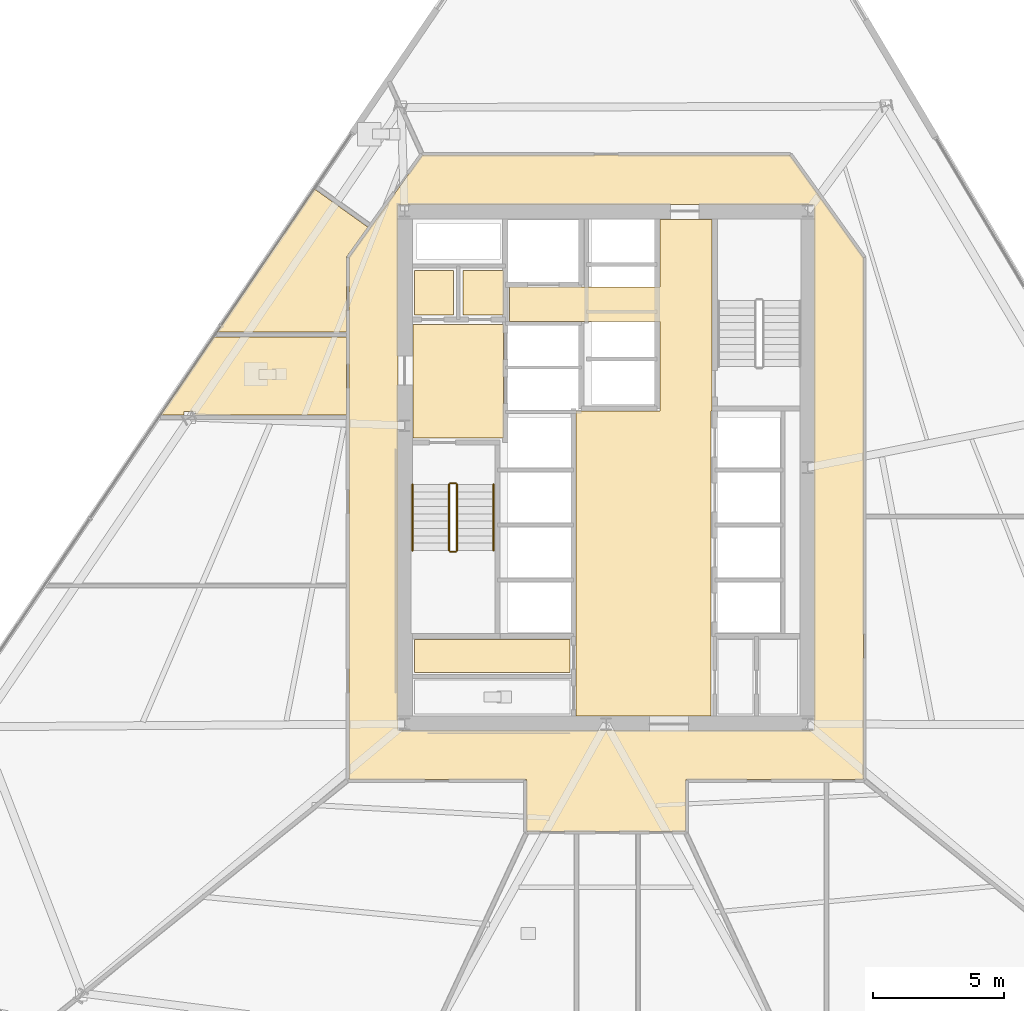
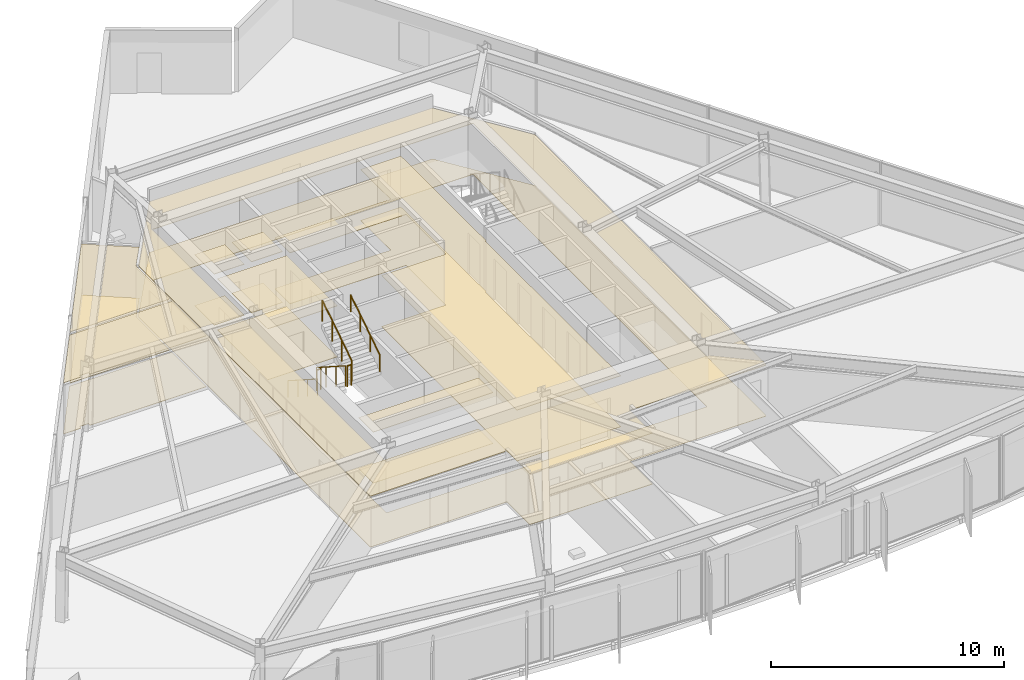
# One storey, part 14 of 18: 16 coverings, 6 railings.
"""IFC4 building model written with IfcOpenShell, lengths in metres."""

from ifc_helpers import new_model, si_unit, direction, frame, origin, origin_2d, place, context, subcontext, project, spatial, polyline, circle, outline, extrude, material, layer, layer_set, type_object, element, save


model = new_model("IFC4")

# Units and contexts
model_context = context("Model", 3, precision=1e-05, world=origin(), true_north=direction((0.0, 1.0)))
body_context = subcontext(model_context, "Body", "Model", "MODEL_VIEW")
ifc_project = project(units=[si_unit("LENGTHUNIT", "METRE"), si_unit("AREAUNIT", "SQUARE_METRE"), si_unit("VOLUMEUNIT", "CUBIC_METRE"), si_unit("PLANEANGLEUNIT", "RADIAN"), si_unit("MASSUNIT", "GRAM", prefix="KILO")], contexts=[model_context])

# Site, building, storey
site_placement = place(None, origin())
site = spatial("IfcSite", under=ifc_project, at=site_placement, CompositionType="ELEMENT")
building_placement = place(site_placement, origin())
building = spatial("IfcBuilding", under=site, at=building_placement, Name="Savorim Split Tower", CompositionType="ELEMENT")
storey_placement = place(building_placement, frame((0.0, 0.0, 40.800048828125)))
storey = spatial("IfcBuildingStorey", under=building, at=storey_placement, Name="L10", CompositionType="ELEMENT", Elevation=40.800048828125)

# Coverings
ifc_material_1 = material(Name="Mineral Fibre Acoustic Ceiling")
ifc_layer_1 = layer(ifc_material_1, 0.02490234375)
ifc_layer_set_1 = layer_set([ifc_layer_1], Name="COV-CEIL-25")
covering_type_1 = type_object("IfcCoveringType", Name="COV-CEIL-25", PredefinedType="CEILING", material=ifc_layer_set_1)
covering_1_placement = place(storey_placement, frame((0.0, 0.0, 2.669921875)))
element("IfcCovering", 1, at=covering_1_placement, inside=storey, type_object=covering_type_1, Name="L10 Firefighting Lift Lobby Acoustic Ceiling", PredefinedType="CEILING", context=body_context, shape_type="SweptSolid", body=[
    extrude(outline(polyline([(-7.3798828125, 5.8701171875), (-7.3798828125, 1.530029296875), (-3.929931640625, 1.530029296875), (-3.929931640625, 5.8701171875), (-7.3798828125, 5.8701171875)])), origin(), (0.0, 0.0, 1.0), 0.025146484375),
])
covering_2_placement = place(storey_placement, frame((0.0, 0.0, 2.669921875)))
element("IfcCovering", 2, at=covering_2_placement, inside=storey, type_object=covering_type_1, Name="L10 Electrical Riser Acoustic Ceiling", PredefinedType="CEILING", context=body_context, shape_type="SweptSolid", body=[
    extrude(outline(polyline([(-7.320068359375, 7.919921875), (-7.320068359375, 6.22998046875), (-5.830078125, 6.22998046875), (-5.830078125, 7.919921875), (-7.320068359375, 7.919921875)])), origin(), (0.0, 0.0, 1.0), 0.025146484375),
])
covering_3_placement = place(storey_placement, frame((0.0, 0.0, 2.669921875)))
element("IfcCovering", 3, at=covering_3_placement, inside=storey, type_object=covering_type_1, Name="L10 Telecom Riser Acoustic Ceiling", PredefinedType="CEILING", context=body_context, shape_type="SweptSolid", body=[
    extrude(outline(polyline([(-5.469970703125, 7.919921875), (-5.469970703125, 6.22998046875), (-3.929931640625, 6.22998046875), (-3.929931640625, 7.919921875), (-5.469970703125, 7.919921875)])), origin(), (0.0, 0.0, 1.0), 0.025146484375),
])
covering_4_placement = place(storey_placement, frame((0.0, 0.0, 2.669921875)))
element("IfcCovering", 4, at=covering_4_placement, inside=storey, type_object=covering_type_1, Name="L10 Lift Lobby Acoustic Ceiling", PredefinedType="CEILING", context=body_context, shape_type="SweptSolid", body=[
    extrude(outline(polyline([(2.050048828125, 2.550048828125), (-1.14990234375, 2.550048828125), (-1.14990234375, -9.10009765625), (4.0, -9.10009765625), (4.0, 2.550048828125), (4.050048828125, 2.550048828125), (4.050048828125, 5.97998046875), (4.050048828125, 7.300048828125), (4.050048828125, 9.8798828125), (2.050048828125, 9.8798828125), (2.050048828125, 7.300048828125), (-3.699951171875, 7.300048828125), (-3.699951171875, 5.97998046875), (2.050048828125, 5.97998046875), (2.050048828125, 2.550048828125)])), origin(), (0.0, 0.0, 1.0), 0.025146484375),
])
covering_5_placement = place(storey_placement, frame((0.0, 0.0, 2.669921875)))
element("IfcCovering", 5, at=covering_5_placement, inside=storey, type_object=covering_type_1, Name="L10 Cleaning Store Acoustic Ceiling", PredefinedType="CEILING", context=body_context, shape_type="SweptSolid", body=[
    extrude(outline(polyline([(-7.320068359375, -6.179931640625), (-7.320068359375, -7.43994140625), (-1.3798828125, -7.43994140625), (-1.3798828125, -6.179931640625), (-7.320068359375, -6.179931640625)])), origin(), (0.0, 0.0, 1.0), 0.025146484375),
])
covering_6_placement = place(storey_placement, frame((0.0, 0.0, 2.669921875)))
element("IfcCovering", 6, at=covering_6_placement, inside=storey, type_object=covering_type_1, Name="L10 Corridor Acoustic Ceiling", PredefinedType="CEILING", context=body_context, shape_type="SweptSolid", body=[
    extrude(outline(polyline([(7.009521484375, 12.3291015625), (7.004638671875, 12.329833984375), (7.0, 12.330078125), (-7.0, 12.330078125), (-7.004638671875, 12.329833984375), (-7.009521484375, 12.3291015625), (-7.013916015625, 12.327880859375), (-7.0185546875, 12.326416015625), (-7.022705078125, 12.324462890625), (-7.027099609375, 12.322021484375), (-7.03076171875, 12.3193359375), (-7.034423828125, 12.31640625), (-7.03759765625, 12.312744140625), (-7.04052734375, 12.30908203125), (-9.820556640625, 8.42919921875), (-9.823486328125, 8.4248046875), (-9.82568359375, 8.420166015625), (-9.82763671875, 8.415283203125), (-9.828857421875, 8.410400390625), (-9.82958984375, 8.4052734375), (-9.830078125, 8.39990234375), (-9.830078125, -11.47998046875), (-9.829833984375, -11.48486328125), (-9.8291015625, -11.48974609375), (-9.827880859375, -11.494384765625), (-9.826171875, -11.4990234375), (-9.82421875, -11.503662109375), (-9.821533203125, -11.5078125), (-9.818603515625, -11.51171875), (-9.8154296875, -11.515380859375), (-9.811767578125, -11.518798828125), (-9.807861328125, -11.521484375), (-9.8037109375, -11.524169921875), (-9.799072265625, -11.526123046875), (-9.79443359375, -11.52783203125), (-9.789794921875, -11.529052734375), (-9.784912109375, -11.52978515625), (-9.780029296875, -11.530029296875), (-3.050048828125, -11.530029296875), (-3.050048828125, -13.449951171875), (-3.0498046875, -13.454833984375), (-3.049072265625, -13.459716796875), (-3.0478515625, -13.464599609375), (-3.046142578125, -13.468994140625), (-3.044189453125, -13.4736328125), (-3.04150390625, -13.477783203125), (-3.038818359375, -13.481689453125), (-3.035400390625, -13.4853515625), (-3.03173828125, -13.48876953125), (-3.02783203125, -13.49169921875), (-3.023681640625, -13.494140625), (-3.01904296875, -13.49609375), (-3.014404296875, -13.497802734375), (-3.009765625, -13.4990234375), (-3.0048828125, -13.499755859375), (-3.0, -13.5), (3.0, -13.5), (3.0048828125, -13.499755859375), (3.009765625, -13.4990234375), (3.014404296875, -13.497802734375), (3.01904296875, -13.49609375), (3.023681640625, -13.494140625), (3.02783203125, -13.49169921875), (3.03173828125, -13.48876953125), (3.035400390625, -13.4853515625), (3.038818359375, -13.481689453125), (3.04150390625, -13.477783203125), (3.044189453125, -13.4736328125), (3.046142578125, -13.468994140625), (3.0478515625, -13.464599609375), (3.049072265625, -13.459716796875), (3.0498046875, -13.454833984375), (3.050048828125, -13.449951171875), (3.050048828125, -11.530029296875), (9.780029296875, -11.530029296875), (9.784912109375, -11.52978515625), (9.789794921875, -11.529052734375), (9.79443359375, -11.52783203125), (9.799072265625, -11.526123046875), (9.8037109375, -11.524169921875), (9.807861328125, -11.521484375), (9.811767578125, -11.518798828125), (9.8154296875, -11.515380859375), (9.818603515625, -11.51171875), (9.821533203125, -11.5078125), (9.82421875, -11.503662109375), (9.826171875, -11.4990234375), (9.827880859375, -11.494384765625), (9.8291015625, -11.48974609375), (9.829833984375, -11.48486328125), (9.830078125, -11.47998046875), (9.830078125, 8.39990234375), (9.82958984375, 8.4052734375), (9.828857421875, 8.410400390625), (9.82763671875, 8.415283203125), (9.82568359375, 8.420166015625), (9.823486328125, 8.4248046875), (9.820556640625, 8.42919921875), (7.04052734375, 12.30908203125), (7.03759765625, 12.312744140625), (7.034423828125, 12.31640625), (7.03076171875, 12.3193359375), (7.027099609375, 12.322021484375), (7.022705078125, 12.324462890625), (7.0185546875, 12.326416015625), (7.013916015625, 12.327880859375), (7.009521484375, 12.3291015625)]), holes=[polyline([(-7.949951171875, 10.449951171875), (-7.949951171875, -9.64990234375), (7.949951171875, -9.64990234375), (7.949951171875, 10.449951171875), (-7.949951171875, 10.449951171875)])]), origin(), (0.0, 0.0, 1.0), 0.025146484375),
])
covering_7_placement = place(storey_placement, frame((0.0, 0.0, 2.669921875)))
element("IfcCovering", 7, at=covering_7_placement, inside=storey, type_object=covering_type_1, Name="L10 Co-Living Bedroom Acoustic Ceiling", PredefinedType="CEILING", context=body_context, shape_type="SweptSolid", body=[
    extrude(outline(polyline([(-9.908203125, 8.456298828125), (-9.901611328125, 8.46923828125), (-9.893798828125, 8.4814453125), (-9.105224609375, 9.58203125), (-11.144775390625, 11.04345703125), (-14.8701171875, 5.5673828125), (-9.919921875, 5.5673828125), (-9.919921875, 8.39990234375), (-9.919189453125, 8.41455078125), (-9.9169921875, 8.4287109375), (-9.913330078125, 8.44287109375), (-9.908203125, 8.456298828125)])), origin(), (0.0, 0.0, 1.0), 0.025146484375),
])
covering_8_placement = place(storey_placement, frame((0.0, 0.0, 2.669921875)))
element("IfcCovering", 8, at=covering_8_placement, inside=storey, type_object=covering_type_1, Name="L10 Shared Bathroom Acoustic Ceiling", PredefinedType="CEILING", context=body_context, shape_type="SweptSolid", body=[
    extrude(outline(polyline([(-15.694580078125, 2.541259765625), (-15.694580078125, 2.4033203125), (-9.919921875, 2.4033203125), (-9.919921875, 5.37744140625), (-14.999267578125, 5.37744140625), (-17.022705078125, 2.4033203125), (-16.130615234375, 2.4033203125), (-16.130615234375, 2.541259765625), (-15.694580078125, 2.541259765625)])), origin(), (0.0, 0.0, 1.0), 0.025146484375),
])
ifc_material_2 = material(Name="Porcelain Stoneware Flooring", Category="masonry")
ifc_layer_2 = layer(ifc_material_2, 0.02001953125)
ifc_layer_set_2 = layer_set([ifc_layer_2], Name="COV-FLOR-20")
covering_type_2 = type_object("IfcCoveringType", Name="COV-FLOR-20", PredefinedType="FLOORING", material=ifc_layer_set_2)
covering_9_placement = place(storey_placement, origin())
element("IfcCovering", 9, at=covering_9_placement, inside=storey, type_object=covering_type_2, Name="L10 Firefighting Lift Lobby Porcelain Flooring", PredefinedType="FLOORING", context=body_context, shape_type="SweptSolid", body=[
    extrude(outline(polyline([(-7.3798828125, 5.8701171875), (-7.3798828125, 1.530029296875), (-3.929931640625, 1.530029296875), (-3.929931640625, 5.8701171875), (-7.3798828125, 5.8701171875)])), origin(), (0.0, 0.0, 1.0), 0.02001953125),
])
covering_10_placement = place(storey_placement, origin())
element("IfcCovering", 10, at=covering_10_placement, inside=storey, type_object=covering_type_2, Name="L10 Electrical Riser Porcelain Flooring", PredefinedType="FLOORING", context=body_context, shape_type="SweptSolid", body=[
    extrude(outline(polyline([(-7.320068359375, 7.919921875), (-7.320068359375, 6.22998046875), (-5.830078125, 6.22998046875), (-5.830078125, 7.919921875), (-7.320068359375, 7.919921875)])), origin(), (0.0, 0.0, 1.0), 0.02001953125),
])
covering_11_placement = place(storey_placement, origin())
element("IfcCovering", 11, at=covering_11_placement, inside=storey, type_object=covering_type_2, Name="L10 Telecom Riser Porcelain Flooring", PredefinedType="FLOORING", context=body_context, shape_type="SweptSolid", body=[
    extrude(outline(polyline([(-5.469970703125, 7.919921875), (-5.469970703125, 6.22998046875), (-3.929931640625, 6.22998046875), (-3.929931640625, 7.919921875), (-5.469970703125, 7.919921875)])), origin(), (0.0, 0.0, 1.0), 0.02001953125),
])
covering_12_placement = place(storey_placement, origin())
element("IfcCovering", 12, at=covering_12_placement, inside=storey, type_object=covering_type_2, Name="L10 Lift Lobby Porcelain Flooring", PredefinedType="FLOORING", context=body_context, shape_type="SweptSolid", body=[
    extrude(outline(polyline([(2.050048828125, 2.550048828125), (-1.14990234375, 2.550048828125), (-1.14990234375, -9.10009765625), (4.0, -9.10009765625), (4.0, 2.550048828125), (4.050048828125, 2.550048828125), (4.050048828125, 5.97998046875), (4.050048828125, 7.300048828125), (4.050048828125, 9.8798828125), (2.050048828125, 9.8798828125), (2.050048828125, 7.300048828125), (-3.699951171875, 7.300048828125), (-3.699951171875, 5.97998046875), (2.050048828125, 5.97998046875), (2.050048828125, 2.550048828125)])), origin(), (0.0, 0.0, 1.0), 0.02001953125),
])
covering_13_placement = place(storey_placement, origin())
element("IfcCovering", 13, at=covering_13_placement, inside=storey, type_object=covering_type_2, Name="L10 Cleaning Store Porcelain Flooring", PredefinedType="FLOORING", context=body_context, shape_type="SweptSolid", body=[
    extrude(outline(polyline([(-7.320068359375, -6.179931640625), (-7.320068359375, -7.43994140625), (-1.3798828125, -7.43994140625), (-1.3798828125, -6.179931640625), (-7.320068359375, -6.179931640625)])), origin(), (0.0, 0.0, 1.0), 0.02001953125),
])
covering_14_placement = place(storey_placement, origin())
element("IfcCovering", 14, at=covering_14_placement, inside=storey, type_object=covering_type_2, Name="L10 Corridor Porcelain Flooring", PredefinedType="FLOORING", context=body_context, shape_type="SweptSolid", body=[
    extrude(outline(polyline([(7.009521484375, 12.3291015625), (7.004638671875, 12.329833984375), (7.0, 12.330078125), (-7.0, 12.330078125), (-7.004638671875, 12.329833984375), (-7.009521484375, 12.3291015625), (-7.013916015625, 12.327880859375), (-7.0185546875, 12.326416015625), (-7.022705078125, 12.324462890625), (-7.027099609375, 12.322021484375), (-7.03076171875, 12.3193359375), (-7.034423828125, 12.31640625), (-7.03759765625, 12.312744140625), (-7.04052734375, 12.30908203125), (-9.820556640625, 8.42919921875), (-9.823486328125, 8.4248046875), (-9.82568359375, 8.420166015625), (-9.82763671875, 8.415283203125), (-9.828857421875, 8.410400390625), (-9.82958984375, 8.4052734375), (-9.830078125, 8.39990234375), (-9.830078125, -11.47998046875), (-9.829833984375, -11.48486328125), (-9.8291015625, -11.48974609375), (-9.827880859375, -11.494384765625), (-9.826171875, -11.4990234375), (-9.82421875, -11.503662109375), (-9.821533203125, -11.5078125), (-9.818603515625, -11.51171875), (-9.8154296875, -11.515380859375), (-9.811767578125, -11.518798828125), (-9.807861328125, -11.521484375), (-9.8037109375, -11.524169921875), (-9.799072265625, -11.526123046875), (-9.79443359375, -11.52783203125), (-9.789794921875, -11.529052734375), (-9.784912109375, -11.52978515625), (-9.780029296875, -11.530029296875), (-3.050048828125, -11.530029296875), (-3.050048828125, -13.449951171875), (-3.0498046875, -13.454833984375), (-3.049072265625, -13.459716796875), (-3.0478515625, -13.464599609375), (-3.046142578125, -13.468994140625), (-3.044189453125, -13.4736328125), (-3.04150390625, -13.477783203125), (-3.038818359375, -13.481689453125), (-3.035400390625, -13.4853515625), (-3.03173828125, -13.48876953125), (-3.02783203125, -13.49169921875), (-3.023681640625, -13.494140625), (-3.01904296875, -13.49609375), (-3.014404296875, -13.497802734375), (-3.009765625, -13.4990234375), (-3.0048828125, -13.499755859375), (-3.0, -13.5), (3.0, -13.5), (3.0048828125, -13.499755859375), (3.009765625, -13.4990234375), (3.014404296875, -13.497802734375), (3.01904296875, -13.49609375), (3.023681640625, -13.494140625), (3.02783203125, -13.49169921875), (3.03173828125, -13.48876953125), (3.035400390625, -13.4853515625), (3.038818359375, -13.481689453125), (3.04150390625, -13.477783203125), (3.044189453125, -13.4736328125), (3.046142578125, -13.468994140625), (3.0478515625, -13.464599609375), (3.049072265625, -13.459716796875), (3.0498046875, -13.454833984375), (3.050048828125, -13.449951171875), (3.050048828125, -11.530029296875), (9.780029296875, -11.530029296875), (9.784912109375, -11.52978515625), (9.789794921875, -11.529052734375), (9.79443359375, -11.52783203125), (9.799072265625, -11.526123046875), (9.8037109375, -11.524169921875), (9.807861328125, -11.521484375), (9.811767578125, -11.518798828125), (9.8154296875, -11.515380859375), (9.818603515625, -11.51171875), (9.821533203125, -11.5078125), (9.82421875, -11.503662109375), (9.826171875, -11.4990234375), (9.827880859375, -11.494384765625), (9.8291015625, -11.48974609375), (9.829833984375, -11.48486328125), (9.830078125, -11.47998046875), (9.830078125, 8.39990234375), (9.82958984375, 8.4052734375), (9.828857421875, 8.410400390625), (9.82763671875, 8.415283203125), (9.82568359375, 8.420166015625), (9.823486328125, 8.4248046875), (9.820556640625, 8.42919921875), (7.04052734375, 12.30908203125), (7.03759765625, 12.312744140625), (7.034423828125, 12.31640625), (7.03076171875, 12.3193359375), (7.027099609375, 12.322021484375), (7.022705078125, 12.324462890625), (7.0185546875, 12.326416015625), (7.013916015625, 12.327880859375), (7.009521484375, 12.3291015625)]), holes=[polyline([(-7.949951171875, 10.449951171875), (-7.949951171875, -9.64990234375), (7.949951171875, -9.64990234375), (7.949951171875, 10.449951171875), (-7.949951171875, 10.449951171875)])]), origin(), (0.0, 0.0, 1.0), 0.02001953125),
])
covering_15_placement = place(storey_placement, origin())
element("IfcCovering", 15, at=covering_15_placement, inside=storey, type_object=covering_type_2, Name="L10 Co-Living Bedroom Porcelain Flooring", PredefinedType="FLOORING", context=body_context, shape_type="SweptSolid", body=[
    extrude(outline(polyline([(-9.908203125, 8.456298828125), (-9.901611328125, 8.46923828125), (-9.893798828125, 8.4814453125), (-9.105224609375, 9.58203125), (-11.144775390625, 11.04345703125), (-14.8701171875, 5.5673828125), (-9.919921875, 5.5673828125), (-9.919921875, 8.39990234375), (-9.919189453125, 8.41455078125), (-9.9169921875, 8.4287109375), (-9.913330078125, 8.44287109375), (-9.908203125, 8.456298828125)])), origin(), (0.0, 0.0, 1.0), 0.02001953125),
])
covering_16_placement = place(storey_placement, origin())
element("IfcCovering", 16, at=covering_16_placement, inside=storey, type_object=covering_type_2, Name="L10 Shared Bathroom Porcelain Flooring", PredefinedType="FLOORING", context=body_context, shape_type="SweptSolid", body=[
    extrude(outline(polyline([(-15.694580078125, 2.541259765625), (-15.694580078125, 2.4033203125), (-9.919921875, 2.4033203125), (-9.919921875, 5.37744140625), (-14.999267578125, 5.37744140625), (-17.022705078125, 2.4033203125), (-16.130615234375, 2.4033203125), (-16.130615234375, 2.541259765625), (-15.694580078125, 2.541259765625)])), origin(), (0.0, 0.0, 1.0), 0.02001953125),
])

# Railings
ifc_material_3 = material(Name="Galvanised Painted Steel Balustrade", Category="steel")
railing_type_1 = type_object("IfcRailingType", Name="RLG-HR-900", PredefinedType="HANDRAIL", material=ifc_material_3)
railing_1_placement = place(storey_placement, frame((-7.39990234375, -0.25, 0.179931640625)))
element("IfcRailing", 17, at=railing_1_placement, inside=storey, type_object=railing_type_1, Name="L10 ST-1 stair handrail 1", PredefinedType="HANDRAIL", context=body_context, shape_type="SweptSolid", body=[
    extrude(circle(Radius=0.02392578125, at=origin_2d()), frame((0.0, 0.0, 0.8759765625), z_axis=(0.0, -0.841162588446, 0.540782303519), x_axis=(1.0, 0.0, 0.0)), (0.0, 0.0, 1.0), 2.995849609375),
    extrude(circle(Radius=0.02099609375, at=origin_2d()), origin(), (0.0, 0.0, 1.0), 0.851806640625),
    extrude(circle(Radius=0.02099609375, at=origin_2d()), frame((0.0, -0.840087890625, 0.5400390625)), (0.0, 0.0, 1.0), 0.851806640625),
    extrude(circle(Radius=0.02099609375, at=origin_2d()), frame((0.0, -1.679931640625, 1.080078125)), (0.0, 0.0, 1.0), 0.851806640625),
    extrude(circle(Radius=0.02099609375, at=origin_2d()), frame((0.0, -2.52001953125, 1.6201171875)), (0.0, 0.0, 1.0), 0.851806640625),
])
railing_2_placement = place(storey_placement, frame((-4.300048828125, -2.77001953125, 1.97998046875)))
element("IfcRailing", 18, at=railing_2_placement, inside=storey, type_object=railing_type_1, Name="L10 ST-1 stair handrail 2", PredefinedType="HANDRAIL", context=body_context, shape_type="SweptSolid", body=[
    extrude(circle(Radius=0.02392578125, at=origin_2d()), frame((0.0, 0.0, 0.8759765625), z_axis=(0.0, 0.841199657755, 0.540724639528), x_axis=(-1.0, 0.0, 0.0)), (0.0, 0.0, 1.0), 2.995849609375),
    extrude(circle(Radius=0.02099609375, at=origin_2d()), origin(), (0.0, 0.0, 1.0), 0.851806640625),
    extrude(circle(Radius=0.02099609375, at=origin_2d()), frame((0.0, 0.840087890625, 0.5400390625)), (0.0, 0.0, 1.0), 0.851806640625),
    extrude(circle(Radius=0.02099609375, at=origin_2d()), frame((0.0, 1.679931640625, 1.079833984375)), (0.0, 0.0, 1.0), 0.851806640625),
    extrude(circle(Radius=0.02099609375, at=origin_2d()), frame((0.0, 2.52001953125, 1.619873046875)), (0.0, 0.0, 1.0), 0.851806640625),
])
railing_type_2 = type_object("IfcRailingType", Name="RLG-STG-1100", PredefinedType="BALUSTRADE", material=ifc_material_3)
railing_3_placement = place(storey_placement, frame((-6.0, -0.25, 0.179931640625)))
element("IfcRailing", 19, at=railing_3_placement, inside=storey, type_object=railing_type_2, Name="L10 ST-1 stair guard 1", PredefinedType="BALUSTRADE", context=body_context, shape_type="SweptSolid", body=[
    extrude(circle(Radius=0.02392578125, at=origin_2d()), frame((0.0, 0.0, 1.076171875), z_axis=(0.0, -0.841162588446, 0.540782303519), x_axis=(1.0, 0.0, 0.0)), (0.0, 0.0, 1.0), 2.995849609375),
    extrude(circle(Radius=0.02099609375, at=origin_2d()), origin(), (0.0, 0.0, 1.0), 1.052001953125),
    extrude(circle(Radius=0.02099609375, at=origin_2d()), frame((0.0, -0.840087890625, 0.5400390625)), (0.0, 0.0, 1.0), 1.052001953125),
    extrude(circle(Radius=0.02099609375, at=origin_2d()), frame((0.0, -1.679931640625, 1.080078125)), (0.0, 0.0, 1.0), 1.052001953125),
    extrude(circle(Radius=0.02099609375, at=origin_2d()), frame((0.0, -2.52001953125, 1.6201171875)), (0.0, 0.0, 1.0), 1.052001953125),
])
railing_4_placement = place(storey_placement, frame((-5.949951171875, -2.820068359375, 1.800048828125)))
element("IfcRailing", 20, at=railing_4_placement, inside=storey, type_object=railing_type_2, Name="L10 ST-1 stair guard 2", PredefinedType="BALUSTRADE", context=body_context, shape_type="SweptSolid", body=[
    extrude(circle(Radius=0.02392578125, at=origin_2d()), frame((0.0, 0.0, 1.076171875), z_axis=(1.0, 0.0, 0.0), x_axis=(0.0, 1.0, 0.0)), (0.0, 0.0, 1.0), 0.199951171875),
    extrude(circle(Radius=0.02099609375, at=origin_2d()), origin(), (0.0, 0.0, 1.0), 1.052001953125),
    extrude(circle(Radius=0.02099609375, at=origin_2d()), frame((0.199951171875, 0.0, 0.0)), (0.0, 0.0, 1.0), 1.052001953125),
])
railing_5_placement = place(storey_placement, frame((-5.699951171875, -2.77001953125, 1.97998046875)))
element("IfcRailing", 21, at=railing_5_placement, inside=storey, type_object=railing_type_2, Name="L10 ST-1 stair guard 3", PredefinedType="BALUSTRADE", context=body_context, shape_type="SweptSolid", body=[
    extrude(circle(Radius=0.02392578125, at=origin_2d()), frame((0.0, 0.0, 1.076171875), z_axis=(0.0, 0.841199657755, 0.540724639528), x_axis=(-1.0, 0.0, 0.0)), (0.0, 0.0, 1.0), 2.995849609375),
    extrude(circle(Radius=0.02099609375, at=origin_2d()), origin(), (0.0, 0.0, 1.0), 1.052001953125),
    extrude(circle(Radius=0.02099609375, at=origin_2d()), frame((0.0, 0.840087890625, 0.5400390625)), (0.0, 0.0, 1.0), 1.052001953125),
    extrude(circle(Radius=0.02099609375, at=origin_2d()), frame((0.0, 1.679931640625, 1.079833984375)), (0.0, 0.0, 1.0), 1.052001953125),
    extrude(circle(Radius=0.02099609375, at=origin_2d()), frame((0.0, 2.52001953125, 1.619873046875)), (0.0, 0.0, 1.0), 1.052001953125),
])
railing_6_placement = place(storey_placement, frame((-5.949951171875, -0.199951171875, 0.0)))
element("IfcRailing", 22, at=railing_6_placement, inside=storey, type_object=railing_type_2, Name="L10 ST-1 stair guard 4", PredefinedType="BALUSTRADE", context=body_context, shape_type="SweptSolid", body=[
    extrude(circle(Radius=0.02392578125, at=origin_2d()), frame((0.0, 0.0, 1.076171875), z_axis=(1.0, 0.0, 0.0), x_axis=(0.0, 1.0, 0.0)), (0.0, 0.0, 1.0), 0.199951171875),
    extrude(circle(Radius=0.02099609375, at=origin_2d()), origin(), (0.0, 0.0, 1.0), 1.052001953125),
    extrude(circle(Radius=0.02099609375, at=origin_2d()), frame((0.199951171875, 0.0, 0.0)), (0.0, 0.0, 1.0), 1.052001953125),
])

save(model, "model.ifc")
